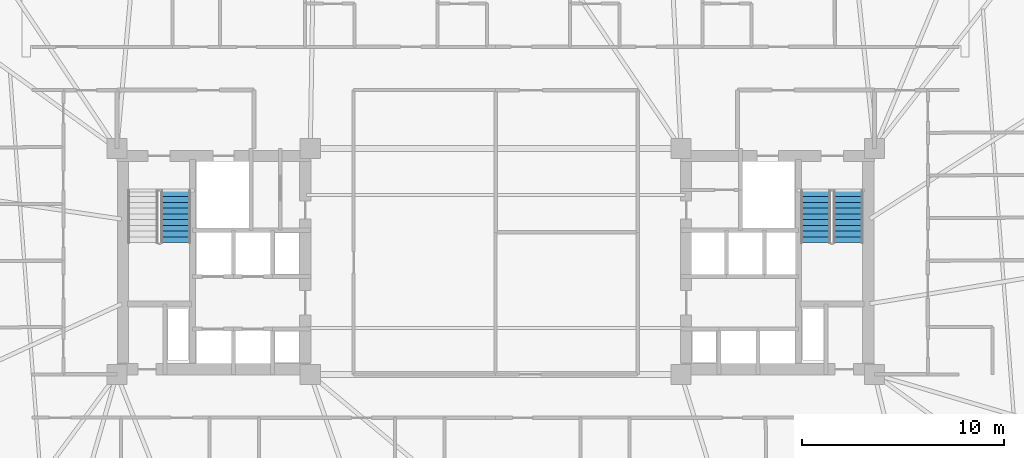
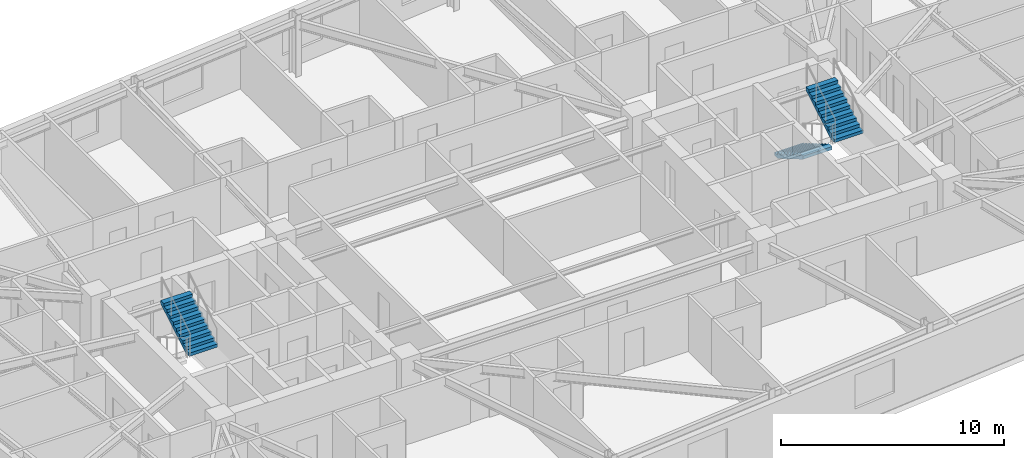
# One storey, part 17 of 20: 3 stair flights, 2 elements without a shape of their own.
"""IFC4 building model written with IfcOpenShell, lengths in metres."""

from ifc_helpers import new_model, si_unit, direction, frame, origin, place, context, subcontext, project, spatial, polyline, outline, extrude, material, type_object, element, aggregate, save


model = new_model("IFC4")

# Units and contexts
model_context = context("Model", 3, precision=1e-05, world=origin(), true_north=direction((0.0, 1.0)))
body_context = subcontext(model_context, "Body", "Model", "MODEL_VIEW")
ifc_project = project(units=[si_unit("LENGTHUNIT", "METRE"), si_unit("AREAUNIT", "SQUARE_METRE"), si_unit("VOLUMEUNIT", "CUBIC_METRE"), si_unit("PLANEANGLEUNIT", "RADIAN"), si_unit("MASSUNIT", "GRAM", prefix="KILO")], contexts=[model_context])

# Site, building, storey
site_placement = place(None, origin())
site = spatial("IfcSite", under=ifc_project, at=site_placement, CompositionType="ELEMENT")
building_placement = place(site_placement, origin())
building = spatial("IfcBuilding", under=site, at=building_placement, Name="Qobustan Lattice House", CompositionType="ELEMENT")
storey_placement = place(building_placement, frame((0.0, 0.0, 89.050048828125)))
storey = spatial("IfcBuildingStorey", under=building, at=storey_placement, Name="L24", CompositionType="ELEMENT", Elevation=89.050048828125)

# Stair, stair flight
ifc_material_1 = material(Name="Concrete C40/50", Category="concrete")
stair_type = type_object("IfcStairType", Name="STR-CORE-DOGLEG", PredefinedType="HALF_TURN_STAIR", material=ifc_material_1)
stair_1_placement = place(storey_placement, origin())
stair_1 = element("IfcStair", 1, at=stair_1_placement, inside=storey, type_object=stair_type, Name="L24 West protected exit stair ST-W1", PredefinedType="HALF_TURN_STAIR")
ifc_material_2 = material(Name="Concrete C40/50", Category="concrete")
stair_flight_type = type_object("IfcStairFlightType", Name="SFL-RC-1500", PredefinedType="STRAIGHT", material=ifc_material_2)
stair_flight_1_placement = place(storey_placement, frame((-15.8798828125, 0.93505859375, 1.675048828125), z_axis=(0.0, 0.0, 1.0), x_axis=(0.0, 1.0, 0.0)))
stair_flight_1 = element("IfcStairFlight", 2, at=stair_flight_1_placement, type_object=stair_flight_type, Name="ST-W1 flight 2", NumberOfRisers=10, NumberOfTreads=9, PredefinedType="STRAIGHT", RiserHeight=0.1675, TreadLength=0.285, context=body_context, shape_type="SweptSolid", body=[
    extrude(outline(polyline([(0.0, 0.0), (0.0, 0.16748046875), (0.284912109375, 0.16748046875), (0.284912109375, 0.3349609375), (0.570068359375, 0.3349609375), (0.570068359375, 0.50244140625), (0.85498046875, 0.50244140625), (0.85498046875, 0.669921875), (1.139892578125, 0.669921875), (1.139892578125, 0.83740234375), (1.425048828125, 0.83740234375), (1.425048828125, 1.0048828125), (1.7099609375, 1.0048828125), (1.7099609375, 1.172607421875), (1.9951171875, 1.172607421875), (1.9951171875, 1.340087890625), (2.280029296875, 1.340087890625), (2.280029296875, 1.507568359375), (2.56494140625, 1.507568359375), (2.56494140625, 1.675048828125), (2.56494140625, 1.333740234375), (0.2958984375, 0.0), (0.0, 0.0)])), frame((0.0, 0.75, 0.0), z_axis=(0.0, -1.0, 0.0), x_axis=(1.0, 0.0, 0.0)), (0.0, 0.0, 1.0), 1.5),
])
aggregate(stair_1, [stair_flight_1])

# Stair, stair flights
stair_2_placement = place(storey_placement, origin())
stair_2 = element("IfcStair", 3, at=stair_2_placement, inside=storey, type_object=stair_type, Name="L24 East protected exit stair ST-E1", PredefinedType="HALF_TURN_STAIR")
stair_flight_2_placement = place(storey_placement, frame((15.8798828125, 3.5, 0.0), z_axis=(0.0, 0.0, 1.0), x_axis=(0.0, -1.0, 0.0)))
stair_flight_2 = element("IfcStairFlight", 4, at=stair_flight_2_placement, type_object=stair_flight_type, Name="ST-E1 flight 1", NumberOfRisers=10, NumberOfTreads=9, PredefinedType="STRAIGHT", RiserHeight=0.1675, TreadLength=0.285, context=body_context, shape_type="SweptSolid", body=[
    extrude(outline(polyline([(0.0, 0.0), (0.0, 0.16748046875), (0.284912109375, 0.16748046875), (0.284912109375, 0.3349609375), (0.570068359375, 0.3349609375), (0.570068359375, 0.50244140625), (0.85498046875, 0.50244140625), (0.85498046875, 0.669921875), (1.139892578125, 0.669921875), (1.139892578125, 0.83740234375), (1.425048828125, 0.83740234375), (1.425048828125, 1.0048828125), (1.7099609375, 1.0048828125), (1.7099609375, 1.172607421875), (1.9951171875, 1.172607421875), (1.9951171875, 1.340087890625), (2.280029296875, 1.340087890625), (2.280029296875, 1.507568359375), (2.56494140625, 1.507568359375), (2.56494140625, 1.675048828125), (2.56494140625, 1.333740234375), (0.2958984375, 0.0), (0.0, 0.0)])), frame((0.0, 0.75, 0.0), z_axis=(0.0, -1.0, 0.0), x_axis=(1.0, 0.0, 0.0)), (0.0, 0.0, 1.0), 1.5),
])
stair_flight_3_placement = place(storey_placement, frame((17.5, 0.93505859375, 1.675048828125), z_axis=(0.0, 0.0, 1.0), x_axis=(0.0, 1.0, 0.0)))
stair_flight_3 = element("IfcStairFlight", 5, at=stair_flight_3_placement, type_object=stair_flight_type, Name="ST-E1 flight 2", NumberOfRisers=10, NumberOfTreads=9, PredefinedType="STRAIGHT", RiserHeight=0.1675, TreadLength=0.285, context=body_context, shape_type="SweptSolid", body=[
    extrude(outline(polyline([(0.0, 0.0), (0.0, 0.16748046875), (0.284912109375, 0.16748046875), (0.284912109375, 0.3349609375), (0.570068359375, 0.3349609375), (0.570068359375, 0.50244140625), (0.85498046875, 0.50244140625), (0.85498046875, 0.669921875), (1.139892578125, 0.669921875), (1.139892578125, 0.83740234375), (1.425048828125, 0.83740234375), (1.425048828125, 1.0048828125), (1.7099609375, 1.0048828125), (1.7099609375, 1.172607421875), (1.9951171875, 1.172607421875), (1.9951171875, 1.340087890625), (2.280029296875, 1.340087890625), (2.280029296875, 1.507568359375), (2.56494140625, 1.507568359375), (2.56494140625, 1.675048828125), (2.56494140625, 1.333740234375), (0.2958984375, 0.0), (0.0, 0.0)])), frame((0.0, 0.75, 0.0), z_axis=(0.0, -1.0, 0.0), x_axis=(1.0, 0.0, 0.0)), (0.0, 0.0, 1.0), 1.5),
])
aggregate(stair_2, [stair_flight_2, stair_flight_3])

save(model, "model.ifc")
